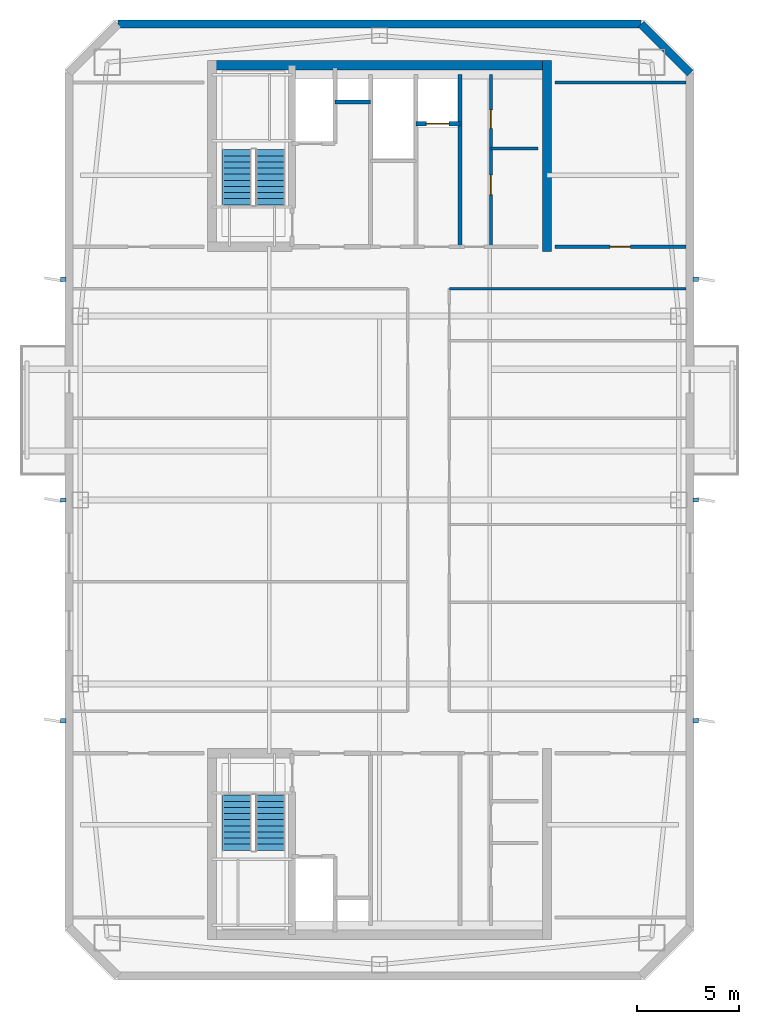
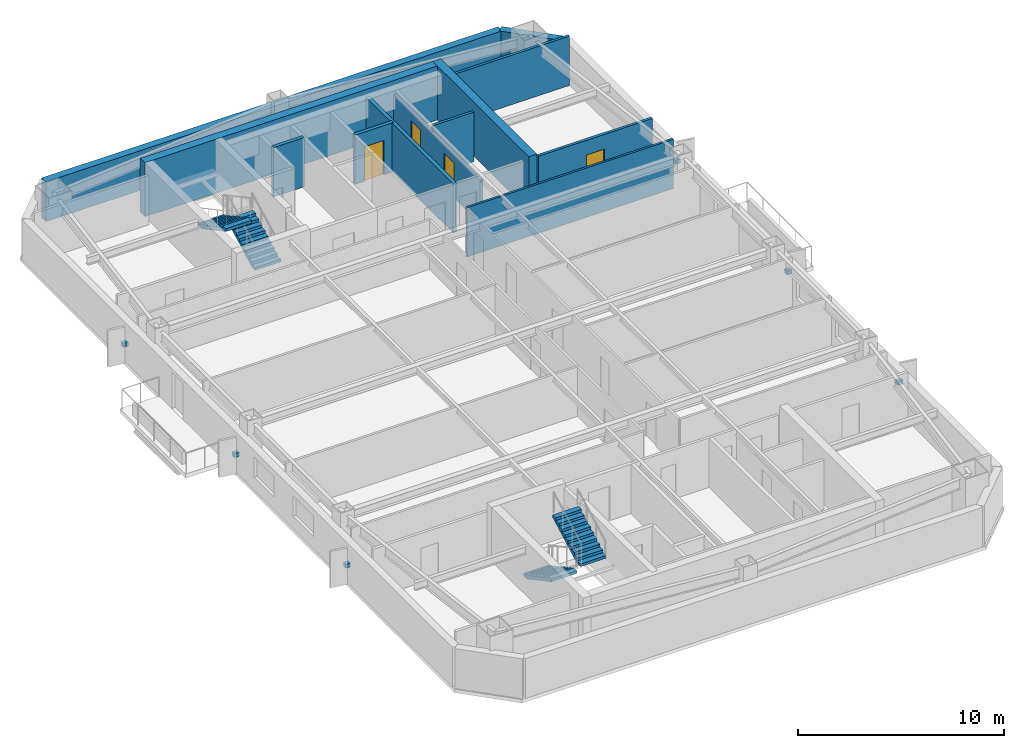
# One storey, part 4 of 7: 12 walls, 6 discrete accessories, 4 doors, 4 stair flights, 4 openings, 2 elements without a shape of their own.
"""IFC4 building model written with IfcOpenShell, lengths in metres."""

from ifc_helpers import new_model, si_unit, direction, frame, frame_2d, origin, origin_2d, place, context, subcontext, project, spatial, polyline, rectangle, outline, extrude, material, layer, layer_set, type_object, element, fill, aggregate, save


model = new_model("IFC4")

# Units and contexts
model_context = context("Model", 3, precision=1e-05, world=origin(), true_north=direction((0.0, 1.0)))
body_context = subcontext(model_context, "Body", "Model", "MODEL_VIEW")
ifc_project = project(units=[si_unit("LENGTHUNIT", "METRE"), si_unit("AREAUNIT", "SQUARE_METRE"), si_unit("VOLUMEUNIT", "CUBIC_METRE"), si_unit("PLANEANGLEUNIT", "RADIAN"), si_unit("MASSUNIT", "GRAM", prefix="KILO")], contexts=[model_context])

# Site, building, storey
site_placement = place(None, origin())
site = spatial("IfcSite", under=ifc_project, at=site_placement, CompositionType="ELEMENT")
building_placement = place(site_placement, origin())
building = spatial("IfcBuilding", under=site, at=building_placement, Name="Qiaolan Cultural Towers", CompositionType="ELEMENT")
storey_placement = place(building_placement, frame((0.0, 0.0, 266.39990234375)))
storey = spatial("IfcBuildingStorey", under=building, at=storey_placement, Name="L73", CompositionType="ELEMENT", Elevation=266.39990234375)

# Walls
ifc_material_1 = material(Name="Concrete C50", Category="concrete")
ifc_layer_1 = layer(ifc_material_1, 0.449951171875)
ifc_layer_set_1 = layer_set([ifc_layer_1], Name="Concrete C50")
wall_type_1 = type_object("IfcWallType", Name="WL-CORE-450", PredefinedType="SHEAR", material=ifc_layer_set_1)
wall_1_placement = place(storey_placement, frame((21.574951171875, 55.280029296875, 0.0), z_axis=(0.0, 0.0, 1.0), x_axis=(1.0, 0.0, 0.0)))
element("IfcWall", 1, at=wall_1_placement, inside=storey, type_object=wall_type_1, Name="L73 T1-CN Outer Core Shear Wall", PredefinedType="SHEAR", context=body_context, shape_type="SweptSolid", body=[
    extrude(rectangle(XDim=16.85009765625, YDim=0.449951171875, at=frame_2d((8.425048828125, 0.0))), origin(), (0.0, 0.0, 1.0), 3.2001953125),
])
wall_2_placement = place(storey_placement, frame((38.199951171875, 46.175048828125, 0.0), z_axis=(0.0, 0.0, 1.0), x_axis=(0.0, 1.0, 0.0)))
element("IfcWall", 2, at=wall_2_placement, inside=storey, type_object=wall_type_1, Name="L73 T1-CN East Core Shear Wall", PredefinedType="SHEAR", context=body_context, shape_type="SweptSolid", body=[
    extrude(rectangle(XDim=9.329833984375, YDim=0.449951171875, at=frame_2d((4.6650390625, 0.0))), origin(), (0.0, 0.0, 1.0), 3.2001953125),
])
ifc_material_2 = material(Name="Precast Concrete C50 Honed Stone Pier", Category="masonry")
ifc_layer_2 = layer(ifc_material_2, 0.39990234375)
ifc_layer_set_2 = layer_set([ifc_layer_2], Name="Precast Concrete C50 Honed Stone Pier")
wall_type_2 = type_object("IfcWallType", Name="WL-EXT-PIER-400", PredefinedType="SOLIDWALL", material=ifc_layer_set_2)
wall_3_placement = place(storey_placement, frame((17.199951171875, 57.300048828125, 0.0), z_axis=(0.0, 0.0, 1.0), x_axis=(1.0, 0.0, 0.0)))
element("IfcWall", 3, at=wall_3_placement, inside=storey, type_object=wall_type_2, Name="L73 West Tower Precast Pier Facade Wall F3", PredefinedType="SOLIDWALL", context=body_context, shape_type="SweptSolid", body=[
    extrude(rectangle(XDim=25.60009765625, YDim=0.39990234375, at=frame_2d((12.800048828125, 0.0))), origin(), (0.0, 0.0, 1.0), 2.360107421875),
])
wall_4_placement = place(storey_placement, frame((42.800048828125, 57.300048828125, 0.0), z_axis=(0.0, 0.0, 1.0), x_axis=(0.707070815327, -0.707142745217, 0.0)))
element("IfcWall", 4, at=wall_4_placement, inside=storey, type_object=wall_type_2, Name="L73 West Tower Precast Pier Facade Wall F4", PredefinedType="SOLIDWALL", context=body_context, shape_type="SweptSolid", body=[
    extrude(rectangle(XDim=3.39404296875, YDim=0.39990234375, at=frame_2d((1.697021484375, 0.0))), origin(), (0.0, 0.0, 1.0), 2.360107421875),
])
ifc_material_3 = material(Name="Concrete C35 Fire Wall", Category="concrete")
ifc_layer_3 = layer(ifc_material_3, 0.199951171875)
ifc_layer_set_3 = layer_set([ifc_layer_3], Name="Concrete C35 Fire Wall")
wall_type_3 = type_object("IfcWallType", Name="WL-FIRE-200", PredefinedType="PARTITIONING", material=ifc_layer_set_3)
wall_5_placement = place(storey_placement, frame((27.820068359375, 53.47998046875, 0.0), z_axis=(0.0, 0.0, 1.0), x_axis=(1.0, 0.0, 0.0)))
element("IfcWall", 5, at=wall_5_placement, inside=storey, type_object=wall_type_3, Name="L73 T1-CN Pressurization Shaft Front Wall", PredefinedType="PARTITIONING", context=body_context, shape_type="SweptSolid", body=[
    extrude(rectangle(XDim=1.72998046875, YDim=0.199951171875, at=frame_2d((0.864990234375, 0.0))), origin(), (0.0, 0.0, 1.0), 2.925048828125),
])
wall_6_placement = place(storey_placement, frame((33.949951171875, 46.39990234375, 0.0), z_axis=(0.0, 0.0, 1.0), x_axis=(0.0, 1.0, 0.0)))
element("IfcWall", 6, at=wall_6_placement, inside=storey, type_object=wall_type_3, Name="L73 T1-CN Lift Core East Wall", PredefinedType="PARTITIONING", context=body_context, shape_type="SweptSolid", body=[
    extrude(rectangle(XDim=8.43017578125, YDim=0.199951171875, at=frame_2d((4.215087890625, 0.0))), origin(), (0.0, 0.0, 1.0), 2.925048828125),
])

# Wall, opening, door
wall_7_placement = place(storey_placement, frame((31.780029296875, 52.419921875, 0.0), z_axis=(0.0, 0.0, 1.0), x_axis=(1.0, 0.0, 0.0)))
wall_7 = element("IfcWall", 7, at=wall_7_placement, inside=storey, type_object=wall_type_3, Name="L73 T1-CN Shuttle Lift Shaft Front", PredefinedType="PARTITIONING", context=body_context, shape_type="SweptSolid", body=[
    extrude(rectangle(XDim=2.169921875, YDim=0.199951171875, at=frame_2d((1.0849609375, 0.0))), origin(), (0.0, 0.0, 1.0), 2.925048828125),
])
opening_1_placement = place(wall_7_placement, frame((0.52001953125, 0.0, 0.0)))
opening_1 = element("IfcOpeningElement", 8, at=opening_1_placement, cuts=wall_7, Name="Opening LD-01", PredefinedType="OPENING", context=body_context, shape_type="SweptSolid", body=[
    extrude(rectangle(XDim=1.10009765625, YDim=2.050048828125, at=frame_2d((0.550048828125, 1.02490234375))), frame((0.0, 0.10986328125, 0.0), z_axis=(0.0, -1.0, 0.0), x_axis=(1.0, 0.0, 0.0)), (0.0, 0.0, 1.0), 0.219970703125),
])
ifc_material_4 = material(Name="Brushed Stainless Steel S30408 Centre-Parting Lift Landing Door", Category="steel")
door_type_1 = type_object("IfcDoorType", Name="DR-LIFT-1100", OperationType="NOTDEFINED", PredefinedType="DOOR", material=ifc_material_4)
door_1_placement = place(opening_1_placement, origin())
door_1 = element("IfcDoor", 9, at=door_1_placement, inside=storey, type_object=door_type_1, Name="L73 Sky Shuttle Lift Landing Door", OperationType="DOUBLE_DOOR_SLIDING", OverallHeight=2.050048828125, OverallWidth=1.10009765625, PredefinedType="DOOR", context=body_context, shape_type="SweptSolid", body=[
    extrude(rectangle(XDim=1.10009765625, YDim=2.050048828125, at=frame_2d((0.550048828125, 1.02490234375))), frame((0.0, 0.02490234375, 0.0), z_axis=(0.0, -1.0, 0.0), x_axis=(1.0, 0.0, 0.0)), (0.0, 0.0, 1.0), 0.050048828125),
])
fill(opening_1, door_1)

# Wall
ifc_material_5 = material(Name="Gypsum Stud Acoustic Partition", Category="gypsum")
ifc_layer_4 = layer(ifc_material_5, 0.1201171875)
ifc_layer_set_4 = layer_set([ifc_layer_4], Name="Gypsum Stud Acoustic Partition")
wall_type_4 = type_object("IfcWallType", Name="WL-PART-120", PredefinedType="PARTITIONING", material=ifc_layer_set_4)
wall_8_placement = place(storey_placement, frame((33.425048828125, 44.35009765625, 0.0), z_axis=(0.0, 0.0, 1.0), x_axis=(1.0, 0.0, 0.0)))
element("IfcWall", 10, at=wall_8_placement, inside=storey, type_object=wall_type_4, Name="L73 T1 North Corridor Right Wall", PredefinedType="PARTITIONING", context=body_context, shape_type="SweptSolid", body=[
    extrude(rectangle(XDim=11.574951171875, YDim=0.1201171875, at=frame_2d((5.78759765625, 0.0))), origin(), (0.0, 0.0, 1.0), 2.925048828125),
])

# Wall, openings, doors
ifc_material_6 = material(Name="Autoclaved Aerated Concrete Block B06", Category="concrete")
ifc_layer_5 = layer(ifc_material_6, 0.14990234375)
ifc_layer_set_5 = layer_set([ifc_layer_5], Name="Autoclaved Aerated Concrete Block B06")
wall_type_5 = type_object("IfcWallType", Name="WL-PART-150", PredefinedType="PARTITIONING", material=ifc_layer_set_5)
wall_9_placement = place(storey_placement, frame((35.449951171875, 46.39990234375, 0.0), z_axis=(0.0, 0.0, 1.0), x_axis=(0.0, 1.0, 0.0)))
wall_9 = element("IfcWall", 11, at=wall_9_placement, inside=storey, type_object=wall_type_5, Name="L73 T1-CN Washroom Split Wall", PredefinedType="PARTITIONING", context=body_context, shape_type="SweptSolid", body=[
    extrude(rectangle(XDim=8.43017578125, YDim=0.14990234375, at=frame_2d((4.215087890625, 0.0))), origin(), (0.0, 0.0, 1.0), 2.565185546875),
])
opening_2_placement = place(wall_9_placement, frame((2.550048828125, 0.0, 0.0)))
opening_2 = element("IfcOpeningElement", 12, at=opening_2_placement, cuts=wall_9, Name="Opening ID-05", PredefinedType="OPENING", context=body_context, shape_type="SweptSolid", body=[
    extrude(rectangle(XDim=0.949951171875, YDim=2.050048828125, at=frame_2d((0.47509765625, 1.02490234375))), frame((0.0, 0.0849609375, 0.0), z_axis=(0.0, -1.0, 0.0), x_axis=(1.0, 0.0, 0.0)), (0.0, 0.0, 1.0), 0.169921875),
])
opening_3_placement = place(wall_9_placement, frame((5.800048828125, 0.0, 0.0)))
opening_3 = element("IfcOpeningElement", 13, at=opening_3_placement, cuts=wall_9, Name="Opening ID-06", PredefinedType="OPENING", context=body_context, shape_type="SweptSolid", body=[
    extrude(rectangle(XDim=0.89990234375, YDim=2.050048828125, at=frame_2d((0.449951171875, 1.02490234375))), frame((0.0, 0.0849609375, 0.0), z_axis=(0.0, -1.0, 0.0), x_axis=(1.0, 0.0, 0.0)), (0.0, 0.0, 1.0), 0.169921875),
])
ifc_material_7 = material(Name="Fire-Rated Laminate Core Service Door", Category="timber")
door_type_2 = type_object("IfcDoorType", Name="DR-INT-900", OperationType="NOTDEFINED", PredefinedType="DOOR", material=ifc_material_7)
door_2_placement = place(opening_3_placement, origin())
door_2 = element("IfcDoor", 14, at=door_2_placement, inside=storey, type_object=door_type_2, Name="L73 First-Aid Room Door", OperationType="SINGLE_SWING_RIGHT", OverallHeight=2.050048828125, OverallWidth=0.89990234375, PredefinedType="DOOR", context=body_context, shape_type="SweptSolid", body=[
    extrude(rectangle(XDim=0.89990234375, YDim=2.050048828125, at=frame_2d((0.449951171875, 1.02490234375))), frame((0.0, 0.02490234375, 0.0), z_axis=(0.0, -1.0, 0.0), x_axis=(1.0, 0.0, 0.0)), (0.0, 0.0, 1.0), 0.050048828125),
])
fill(opening_3, door_2)
ifc_material_8 = material(Name="Fire-Rated Laminate Accessible Core Door", Category="timber")
door_type_3 = type_object("IfcDoorType", Name="DR-INT-950", OperationType="NOTDEFINED", PredefinedType="DOOR", material=ifc_material_8)
door_3_placement = place(opening_2_placement, origin())
door_3 = element("IfcDoor", 15, at=door_3_placement, inside=storey, type_object=door_type_3, Name="L73 Accessible Washroom Door", OperationType="SINGLE_SWING_LEFT", OverallHeight=2.050048828125, OverallWidth=0.949951171875, PredefinedType="DOOR", context=body_context, shape_type="SweptSolid", body=[
    extrude(rectangle(XDim=0.949951171875, YDim=2.050048828125, at=frame_2d((0.47509765625, 1.02490234375))), frame((0.0, 0.02490234375, 0.0), z_axis=(0.0, -1.0, 0.0), x_axis=(1.0, 0.0, 0.0)), (0.0, 0.0, 1.0), 0.050048828125),
])
fill(opening_2, door_3)

# Walls
wall_10_placement = place(storey_placement, frame((35.449951171875, 51.199951171875, 0.0), z_axis=(0.0, 0.0, 1.0), x_axis=(1.0, 0.0, 0.0)))
element("IfcWall", 16, at=wall_10_placement, inside=storey, type_object=wall_type_5, Name="L73 T1-CN First-Aid Wall", PredefinedType="PARTITIONING", context=body_context, shape_type="SweptSolid", body=[
    extrude(rectangle(XDim=2.300048828125, YDim=0.14990234375, at=frame_2d((1.14990234375, 0.0))), origin(), (0.0, 0.0, 1.0), 2.925048828125),
])
wall_11_placement = place(storey_placement, frame((38.60009765625, 54.449951171875, 0.0), z_axis=(0.0, 0.0, 1.0), x_axis=(1.0, 0.0, 0.0)))
element("IfcWall", 17, at=wall_11_placement, inside=storey, type_object=wall_type_5, Name="L73 T1 Flank Wall FLK-NE", PredefinedType="PARTITIONING", context=body_context, shape_type="SweptSolid", body=[
    extrude(rectangle(XDim=6.39990234375, YDim=0.14990234375, at=frame_2d((3.199951171875, 0.0))), origin(), (0.0, 0.0, 1.0), 2.925048828125),
])

# Wall, opening, door
wall_12_placement = place(storey_placement, frame((38.60009765625, 46.39990234375, 0.0), z_axis=(0.0, 0.0, 1.0), x_axis=(1.0, 0.0, 0.0)))
wall_12 = element("IfcWall", 18, at=wall_12_placement, inside=storey, type_object=wall_type_5, Name="L73 T1 Flank Front FLK-NE", PredefinedType="PARTITIONING", context=body_context, shape_type="SweptSolid", body=[
    extrude(rectangle(XDim=6.39990234375, YDim=0.14990234375, at=frame_2d((3.199951171875, 0.0))), origin(), (0.0, 0.0, 1.0), 2.925048828125),
])
opening_4_placement = place(wall_12_placement, frame((2.68798828125, 0.0, 0.0)))
opening_4 = element("IfcOpeningElement", 19, at=opening_4_placement, cuts=wall_12, Name="Opening ID-04", PredefinedType="OPENING", context=body_context, shape_type="SweptSolid", body=[
    extrude(rectangle(XDim=1.0, YDim=2.050048828125, at=frame_2d((0.5, 1.02490234375))), frame((0.0, 0.0849609375, 0.0), z_axis=(0.0, -1.0, 0.0), x_axis=(1.0, 0.0, 0.0)), (0.0, 0.0, 1.0), 0.169921875),
])
ifc_material_9 = material(Name="Oak Veneer Acoustic Office Door", Category="timber")
door_type_4 = type_object("IfcDoorType", Name="DR-INT-1000", OperationType="NOTDEFINED", PredefinedType="DOOR", material=ifc_material_9)
door_4_placement = place(opening_4_placement, origin())
door_4 = element("IfcDoor", 20, at=door_4_placement, inside=storey, type_object=door_type_4, Name="L73 T1 Corner Studio Door", OperationType="SINGLE_SWING_LEFT", OverallHeight=2.050048828125, OverallWidth=1.0, PredefinedType="DOOR", context=body_context, shape_type="SweptSolid", body=[
    extrude(rectangle(XDim=1.0, YDim=2.050048828125, at=frame_2d((0.5, 1.02490234375))), frame((0.0, 0.02490234375, 0.0), z_axis=(0.0, -1.0, 0.0), x_axis=(1.0, 0.0, 0.0)), (0.0, 0.0, 1.0), 0.050048828125),
])
fill(opening_4, door_4)

# Stair, stair flights
ifc_material_10 = material(Name="Concrete C45", Category="concrete")
stair_type = type_object("IfcStairType", Name="STR-CORE-1500", PredefinedType="HALF_TURN_STAIR", material=ifc_material_10)
stair_1_placement = place(storey_placement, origin())
stair_1 = element("IfcStair", 21, at=stair_1_placement, inside=storey, type_object=stair_type, Name="L73 Smokeproof Exit Stair ST-W1", PredefinedType="HALF_TURN_STAIR")
ifc_material_11 = material(Name="Concrete C45", Category="concrete")
stair_flight_type = type_object("IfcStairFlightType", Name="STR-CORE-1500-FL", PredefinedType="STRAIGHT", material=ifc_material_11)
stair_flight_1_placement = place(storey_placement, frame((23.02001953125, 19.550048828125, 0.0), z_axis=(0.0, 0.0, 1.0), x_axis=(0.0, -1.0, 0.0)))
stair_flight_1 = element("IfcStairFlight", 22, at=stair_flight_1_placement, type_object=stair_flight_type, Name="ST-W1 flight 1", NumberOfRisers=10, NumberOfTreads=9, PredefinedType="STRAIGHT", RiserHeight=0.16, TreadLength=0.3, context=body_context, shape_type="SweptSolid", body=[
    extrude(outline(polyline([(0.0, 0.0), (0.0, 0.159912109375), (0.300048828125, 0.159912109375), (0.300048828125, 0.320068359375), (0.60009765625, 0.320068359375), (0.60009765625, 0.47998046875), (0.89990234375, 0.47998046875), (0.89990234375, 0.639892578125), (1.199951171875, 0.639892578125), (1.199951171875, 0.800048828125), (1.5, 0.800048828125), (1.5, 0.9599609375), (1.800048828125, 0.9599609375), (1.800048828125, 1.1201171875), (2.10009765625, 1.1201171875), (2.10009765625, 1.280029296875), (2.39990234375, 1.280029296875), (2.39990234375, 1.43994140625), (2.699951171875, 1.43994140625), (2.699951171875, 1.60009765625), (2.699951171875, 1.27001953125), (0.318603515625, 0.0), (0.0, 0.0)])), frame((0.0, 0.719970703125, 0.0), z_axis=(0.0, -1.0, 0.0), x_axis=(1.0, 0.0, 0.0)), (0.0, 0.0, 1.0), 1.43994140625),
])
stair_flight_2_placement = place(storey_placement, frame((24.659912109375, 16.85009765625, 1.60009765625), z_axis=(0.0, 0.0, 1.0), x_axis=(0.0, 1.0, 0.0)))
stair_flight_2 = element("IfcStairFlight", 23, at=stair_flight_2_placement, type_object=stair_flight_type, Name="ST-W1 flight 2", NumberOfRisers=10, NumberOfTreads=9, PredefinedType="STRAIGHT", RiserHeight=0.16, TreadLength=0.3, context=body_context, shape_type="SweptSolid", body=[
    extrude(outline(polyline([(0.0, 0.0), (0.0, 0.159912109375), (0.300048828125, 0.159912109375), (0.300048828125, 0.320068359375), (0.60009765625, 0.320068359375), (0.60009765625, 0.47998046875), (0.89990234375, 0.47998046875), (0.89990234375, 0.639892578125), (1.199951171875, 0.639892578125), (1.199951171875, 0.800048828125), (1.5, 0.800048828125), (1.5, 0.9599609375), (1.800048828125, 0.9599609375), (1.800048828125, 1.1201171875), (2.10009765625, 1.1201171875), (2.10009765625, 1.280029296875), (2.39990234375, 1.280029296875), (2.39990234375, 1.43994140625), (2.699951171875, 1.43994140625), (2.699951171875, 1.60009765625), (2.699951171875, 1.27001953125), (0.318603515625, 0.0), (0.0, 0.0)])), frame((0.0, 0.719970703125, 0.0), z_axis=(0.0, -1.0, 0.0), x_axis=(1.0, 0.0, 0.0)), (0.0, 0.0, 1.0), 1.43994140625),
])
aggregate(stair_1, [stair_flight_1, stair_flight_2])

stair_2_placement = place(storey_placement, origin())
stair_2 = element("IfcStair", 24, at=stair_2_placement, inside=storey, type_object=stair_type, Name="L73 Smokeproof Exit Stair ST-W2", PredefinedType="HALF_TURN_STAIR")
stair_flight_3_placement = place(storey_placement, frame((24.659912109375, 48.449951171875, 0.0), z_axis=(0.0, 0.0, 1.0), x_axis=(0.0, 1.0, 0.0)))
stair_flight_3 = element("IfcStairFlight", 25, at=stair_flight_3_placement, type_object=stair_flight_type, Name="ST-W2 flight 1", NumberOfRisers=10, NumberOfTreads=9, PredefinedType="STRAIGHT", RiserHeight=0.16, TreadLength=0.3, context=body_context, shape_type="SweptSolid", body=[
    extrude(outline(polyline([(0.0, 0.0), (0.0, 0.159912109375), (0.300048828125, 0.159912109375), (0.300048828125, 0.320068359375), (0.60009765625, 0.320068359375), (0.60009765625, 0.47998046875), (0.89990234375, 0.47998046875), (0.89990234375, 0.639892578125), (1.199951171875, 0.639892578125), (1.199951171875, 0.800048828125), (1.5, 0.800048828125), (1.5, 0.9599609375), (1.800048828125, 0.9599609375), (1.800048828125, 1.1201171875), (2.10009765625, 1.1201171875), (2.10009765625, 1.280029296875), (2.39990234375, 1.280029296875), (2.39990234375, 1.43994140625), (2.699951171875, 1.43994140625), (2.699951171875, 1.60009765625), (2.699951171875, 1.27001953125), (0.318603515625, 0.0), (0.0, 0.0)])), frame((0.0, 0.719970703125, 0.0), z_axis=(0.0, -1.0, 0.0), x_axis=(1.0, 0.0, 0.0)), (0.0, 0.0, 1.0), 1.43994140625),
])
stair_flight_4_placement = place(storey_placement, frame((23.02001953125, 51.14990234375, 1.60009765625), z_axis=(0.0, 0.0, 1.0), x_axis=(0.0, -1.0, 0.0)))
stair_flight_4 = element("IfcStairFlight", 26, at=stair_flight_4_placement, type_object=stair_flight_type, Name="ST-W2 flight 2", NumberOfRisers=10, NumberOfTreads=9, PredefinedType="STRAIGHT", RiserHeight=0.16, TreadLength=0.3, context=body_context, shape_type="SweptSolid", body=[
    extrude(outline(polyline([(0.0, 0.0), (0.0, 0.159912109375), (0.300048828125, 0.159912109375), (0.300048828125, 0.320068359375), (0.60009765625, 0.320068359375), (0.60009765625, 0.47998046875), (0.89990234375, 0.47998046875), (0.89990234375, 0.639892578125), (1.199951171875, 0.639892578125), (1.199951171875, 0.800048828125), (1.5, 0.800048828125), (1.5, 0.9599609375), (1.800048828125, 0.9599609375), (1.800048828125, 1.1201171875), (2.10009765625, 1.1201171875), (2.10009765625, 1.280029296875), (2.39990234375, 1.280029296875), (2.39990234375, 1.43994140625), (2.699951171875, 1.43994140625), (2.699951171875, 1.60009765625), (2.699951171875, 1.27001953125), (0.318603515625, 0.0), (0.0, 0.0)])), frame((0.0, 0.719970703125, 0.0), z_axis=(0.0, -1.0, 0.0), x_axis=(1.0, 0.0, 0.0)), (0.0, 0.0, 1.0), 1.43994140625),
])
aggregate(stair_2, [stair_flight_3, stair_flight_4])

# Discrete accessories
ifc_material_12 = material(Name="Stainless Steel S31608 Facade Anchor Bracket", Category="steel")
discrete_accessory_type = type_object("IfcDiscreteAccessoryType", Name="ACC-BRK-SS", PredefinedType="BRACKET", material=ifc_material_12)
for number, where, z_axis, x_axis, name in (
    (27, (14.52001953125, 23.199951171875, 1.06005859375), (0.0, 0.0, 1.0), (1.0, 0.0, 0.0), "L73 T1 Facade Fin Anchor Bracket W1"),
    (28, (14.52001953125, 34.0, 1.06005859375), (0.0, 0.0, 1.0), (1.0, 0.0, 0.0), "L73 T1 Facade Fin Anchor Bracket W2"),
    (29, (14.52001953125, 44.800048828125, 1.06005859375), (0.0, 0.0, 1.0), (1.0, 0.0, 0.0), "L73 T1 Facade Fin Anchor Bracket W3"),
    (30, (45.47998046875, 23.199951171875, 1.06005859375), (0.0, 0.0, 1.0), (1.0, 0.0, 0.0), "L73 T1 Facade Fin Anchor Bracket E1"),
    (31, (45.47998046875, 34.0, 1.06005859375), (0.0, 0.0, 1.0), (1.0, 0.0, 0.0), "L73 T1 Facade Fin Anchor Bracket E2"),
    (32, (45.47998046875, 44.800048828125, 1.06005859375), (0.0, 0.0, 1.0), (1.0, 0.0, 0.0), "L73 T1 Facade Fin Anchor Bracket E3"),
):
    element("IfcDiscreteAccessory", number, at=place(storey_placement, frame(where, z_axis=z_axis, x_axis=x_axis)), inside=storey, type_object=discrete_accessory_type, Name=name, PredefinedType="BRACKET", context=body_context, shape_type="SweptSolid", body=[
        extrude(rectangle(XDim=0.280029296875, YDim=0.219970703125, at=origin_2d()), origin(), (0.0, 0.0, 1.0), 0.239990234375),
    ])

save(model, "model.ifc")
